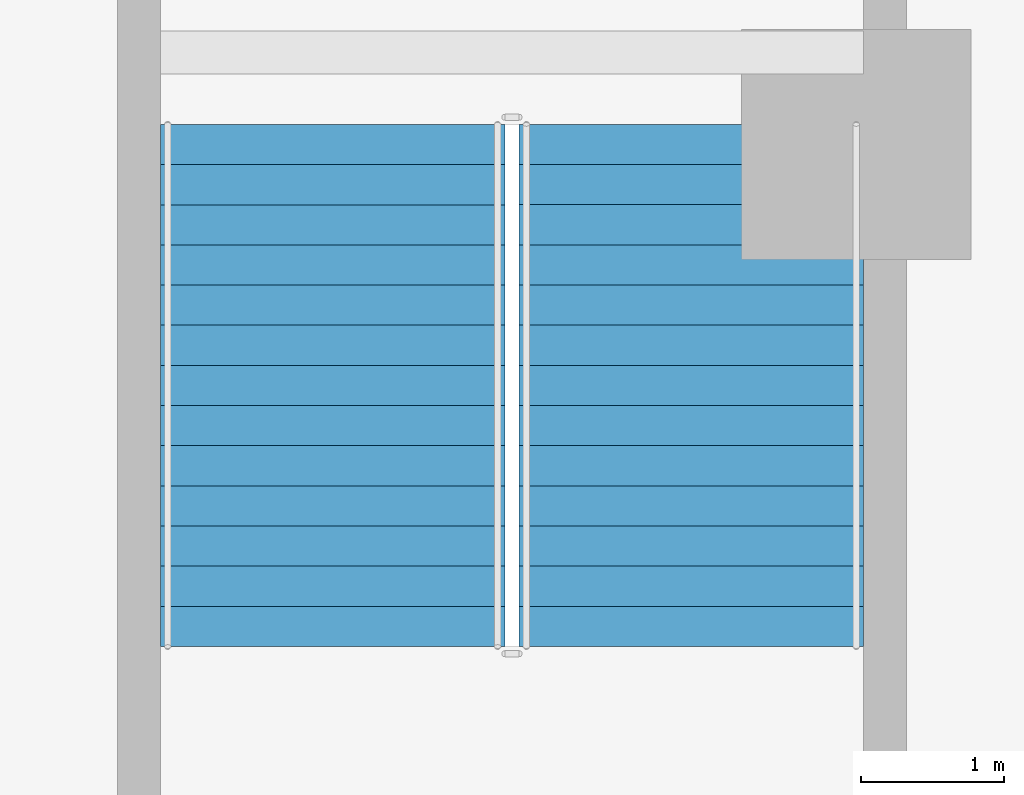
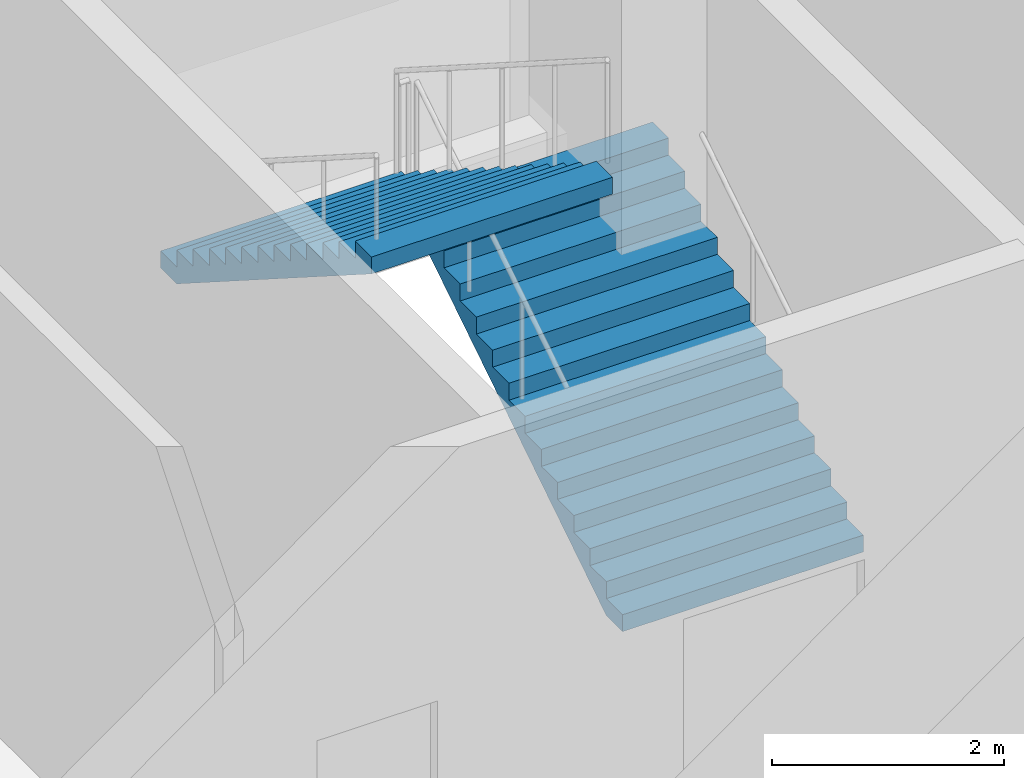
# One storey, part 18 of 35: 2 stair flights, 1 element without a shape of its own.
"""IFC4 building model written with IfcOpenShell, lengths in metres."""

from ifc_helpers import new_model, si_unit, direction, frame, origin, place, context, subcontext, project, spatial, triangles, source, transform, mapped, material, type_object, element, aggregate, save


model = new_model("IFC4")

# Units and contexts
model_context = context("Model", 3, precision=1e-05, world=origin(), true_north=direction((0.0, 1.0)))
body_context = subcontext(model_context, "Body", "Model", "MODEL_VIEW")
ifc_project = project(units=[si_unit("LENGTHUNIT", "METRE"), si_unit("AREAUNIT", "SQUARE_METRE"), si_unit("VOLUMEUNIT", "CUBIC_METRE"), si_unit("PLANEANGLEUNIT", "RADIAN"), si_unit("MASSUNIT", "GRAM", prefix="KILO")], contexts=[model_context])

# Site, building, storey
site_placement = place(None, origin())
site = spatial("IfcSite", under=ifc_project, at=site_placement, CompositionType="ELEMENT")
building_placement = place(site_placement, origin())
building = spatial("IfcBuilding", under=site, at=building_placement, Name="Ogive Portal Towers", CompositionType="ELEMENT")
storey_placement = place(building_placement, frame((0.0, 0.0, 18.5)))
storey = spatial("IfcBuildingStorey", under=building, at=storey_placement, Name="L03", CompositionType="ELEMENT", Elevation=18.5)

# Stair, stair flights
ifc_material = material(Name="Concrete C40/50", Category="concrete")
stair_type = type_object("IfcStairType", Name="INT-STAIR", PredefinedType="HALF_TURN_STAIR", material=ifc_material)
stair_placement = place(storey_placement, origin())
stair = element("IfcStair", 1, at=stair_placement, inside=storey, type_object=stair_type, Name="L03 Exit Stair ST-P2", PredefinedType="HALF_TURN_STAIR")
stair_flight_type = type_object("IfcStairFlightType", Name="INT-FLIGHT", PredefinedType="STRAIGHT", material=ifc_material)
shared_shape = source(origin(), body_context, "Body", "Tessellation", [
    triangles([(0.0, -1.199951171875, 0.0), (0.0, -0.6943359375, 0.0), (0.0, -0.35546875, 0.0), (0.0, -0.14990234375, 0.0), (0.0, -0.04443359375, 0.0), (0.0, -0.005615234375, 0.0), (0.0, 0.0, 0.0), (0.0, 0.005615234375, 0.0), (0.0, 0.04443359375, 0.0), (0.0, 0.14990234375, 0.0), (0.0, 0.35546875, 0.0), (0.0, 0.6943359375, 0.0), (0.0, 1.199951171875, 0.0), (0.0, -1.199951171875, 0.178466796875), (0.0, -0.6943359375, 0.178466796875), (0.0, -0.35546875, 0.178466796875), (0.0, -0.14990234375, 0.178466796875), (0.0, -0.04443359375, 0.178466796875), (0.0, -0.005615234375, 0.178466796875), (0.0, 0.0, 0.178466796875), (0.0, 0.005615234375, 0.178466796875), (0.0, 0.04443359375, 0.178466796875), (0.0, 0.14990234375, 0.178466796875), (0.0, 0.35546875, 0.178466796875), (0.0, 0.6943359375, 0.178466796875), (0.0, 1.199951171875, 0.178466796875), (0.280029296875, -1.199951171875, 0.178466796875), (0.280029296875, -0.6943359375, 0.178466796875), (0.280029296875, -0.35546875, 0.178466796875), (0.280029296875, -0.14990234375, 0.178466796875), (0.280029296875, -0.04443359375, 0.178466796875), (0.280029296875, -0.005615234375, 0.178466796875), (0.280029296875, 0.0, 0.178466796875), (0.280029296875, 0.005615234375, 0.178466796875), (0.280029296875, 0.04443359375, 0.178466796875), (0.280029296875, 0.14990234375, 0.178466796875), (0.280029296875, 0.35546875, 0.178466796875), (0.280029296875, 0.6943359375, 0.178466796875), (0.280029296875, 1.199951171875, 0.178466796875), (0.280029296875, -1.199951171875, 0.357177734375), (0.280029296875, -0.6943359375, 0.357177734375), (0.280029296875, -0.35546875, 0.357177734375), (0.280029296875, -0.14990234375, 0.357177734375), (0.280029296875, -0.04443359375, 0.357177734375), (0.280029296875, -0.005615234375, 0.357177734375), (0.280029296875, 0.0, 0.357177734375), (0.280029296875, 0.005615234375, 0.357177734375), (0.280029296875, 0.04443359375, 0.357177734375), (0.280029296875, 0.14990234375, 0.357177734375), (0.280029296875, 0.35546875, 0.357177734375), (0.280029296875, 0.6943359375, 0.357177734375), (0.280029296875, 1.199951171875, 0.357177734375), (0.56005859375, -1.199951171875, 0.357177734375), (0.56005859375, -0.6943359375, 0.357177734375), (0.56005859375, -0.35546875, 0.357177734375), (0.56005859375, -0.14990234375, 0.357177734375), (0.56005859375, -0.04443359375, 0.357177734375), (0.56005859375, -0.005615234375, 0.357177734375), (0.56005859375, 0.0, 0.357177734375), (0.56005859375, 0.005615234375, 0.357177734375), (0.56005859375, 0.04443359375, 0.357177734375), (0.56005859375, 0.14990234375, 0.357177734375), (0.56005859375, 0.35546875, 0.357177734375), (0.56005859375, 0.6943359375, 0.357177734375), (0.56005859375, 1.199951171875, 0.357177734375), (0.56005859375, -1.199951171875, 0.53564453125), (0.56005859375, -0.6943359375, 0.53564453125), (0.56005859375, -0.35546875, 0.53564453125), (0.56005859375, -0.14990234375, 0.53564453125), (0.56005859375, -0.04443359375, 0.53564453125), (0.56005859375, -0.005615234375, 0.53564453125), (0.56005859375, 0.0, 0.53564453125), (0.56005859375, 0.005615234375, 0.53564453125), (0.56005859375, 0.04443359375, 0.53564453125), (0.56005859375, 0.14990234375, 0.53564453125), (0.56005859375, 0.35546875, 0.53564453125), (0.56005859375, 0.6943359375, 0.53564453125), (0.56005859375, 1.199951171875, 0.53564453125), (0.840087890625, -1.199951171875, 0.53564453125), (0.840087890625, -0.6943359375, 0.53564453125), (0.840087890625, -0.35546875, 0.53564453125), (0.840087890625, -0.14990234375, 0.53564453125), (0.840087890625, -0.04443359375, 0.53564453125), (0.840087890625, -0.005615234375, 0.53564453125), (0.840087890625, 0.0, 0.53564453125), (0.840087890625, 0.005615234375, 0.53564453125), (0.840087890625, 0.04443359375, 0.53564453125), (0.840087890625, 0.14990234375, 0.53564453125), (0.840087890625, 0.35546875, 0.53564453125), (0.840087890625, 0.6943359375, 0.53564453125), (0.840087890625, 1.199951171875, 0.53564453125), (0.840087890625, -1.199951171875, 0.71435546875), (0.840087890625, -0.6943359375, 0.71435546875), (0.840087890625, -0.35546875, 0.71435546875), (0.840087890625, -0.14990234375, 0.71435546875), (0.840087890625, -0.04443359375, 0.71435546875), (0.840087890625, -0.005615234375, 0.71435546875), (0.840087890625, 0.0, 0.71435546875), (0.840087890625, 0.005615234375, 0.71435546875), (0.840087890625, 0.04443359375, 0.71435546875), (0.840087890625, 0.14990234375, 0.71435546875), (0.840087890625, 0.35546875, 0.71435546875), (0.840087890625, 0.6943359375, 0.71435546875), (0.840087890625, 1.199951171875, 0.71435546875), (1.1201171875, -1.199951171875, 0.71435546875), (1.1201171875, -0.6943359375, 0.71435546875), (1.1201171875, -0.35546875, 0.71435546875), (1.1201171875, -0.14990234375, 0.71435546875), (1.1201171875, -0.04443359375, 0.71435546875), (1.1201171875, -0.005615234375, 0.71435546875), (1.1201171875, 0.0, 0.71435546875), (1.1201171875, 0.005615234375, 0.71435546875), (1.1201171875, 0.04443359375, 0.71435546875), (1.1201171875, 0.14990234375, 0.71435546875), (1.1201171875, 0.35546875, 0.71435546875), (1.1201171875, 0.6943359375, 0.71435546875), (1.1201171875, 1.199951171875, 0.71435546875), (1.1201171875, -1.199951171875, 0.892822265625), (1.1201171875, -0.6943359375, 0.892822265625), (1.1201171875, -0.35546875, 0.892822265625), (1.1201171875, -0.14990234375, 0.892822265625), (1.1201171875, -0.04443359375, 0.892822265625), (1.1201171875, -0.005615234375, 0.892822265625), (1.1201171875, 0.0, 0.892822265625), (1.1201171875, 0.005615234375, 0.892822265625), (1.1201171875, 0.04443359375, 0.892822265625), (1.1201171875, 0.14990234375, 0.892822265625), (1.1201171875, 0.35546875, 0.892822265625), (1.1201171875, 0.6943359375, 0.892822265625), (1.1201171875, 1.199951171875, 0.892822265625), (1.39990234375, -1.199951171875, 0.892822265625), (1.39990234375, -0.6943359375, 0.892822265625), (1.39990234375, -0.35546875, 0.892822265625), (1.39990234375, -0.14990234375, 0.892822265625), (1.39990234375, -0.04443359375, 0.892822265625), (1.39990234375, -0.005615234375, 0.892822265625), (1.39990234375, 0.0, 0.892822265625), (1.39990234375, 0.005615234375, 0.892822265625), (1.39990234375, 0.04443359375, 0.892822265625), (1.39990234375, 0.14990234375, 0.892822265625), (1.39990234375, 0.35546875, 0.892822265625), (1.39990234375, 0.6943359375, 0.892822265625), (1.39990234375, 1.199951171875, 0.892822265625), (1.39990234375, -1.199951171875, 1.071533203125), (1.39990234375, -0.6943359375, 1.071533203125), (1.39990234375, -0.35546875, 1.071533203125), (1.39990234375, -0.14990234375, 1.071533203125), (1.39990234375, -0.04443359375, 1.071533203125), (1.39990234375, -0.005615234375, 1.071533203125), (1.39990234375, 0.0, 1.071533203125), (1.39990234375, 0.005615234375, 1.071533203125), (1.39990234375, 0.04443359375, 1.071533203125), (1.39990234375, 0.14990234375, 1.071533203125), (1.39990234375, 0.35546875, 1.071533203125), (1.39990234375, 0.6943359375, 1.071533203125), (1.39990234375, 1.199951171875, 1.071533203125), (1.679931640625, -1.199951171875, 1.071533203125), (1.679931640625, -0.6943359375, 1.071533203125), (1.679931640625, -0.35546875, 1.071533203125), (1.679931640625, -0.14990234375, 1.071533203125), (1.679931640625, -0.04443359375, 1.071533203125), (1.679931640625, -0.005615234375, 1.071533203125), (1.679931640625, 0.0, 1.071533203125), (1.679931640625, 0.005615234375, 1.071533203125), (1.679931640625, 0.04443359375, 1.071533203125), (1.679931640625, 0.14990234375, 1.071533203125), (1.679931640625, 0.35546875, 1.071533203125), (1.679931640625, 0.6943359375, 1.071533203125), (1.679931640625, 1.199951171875, 1.071533203125), (1.679931640625, -1.199951171875, 1.25), (1.679931640625, -0.6943359375, 1.25), (1.679931640625, -0.35546875, 1.25), (1.679931640625, -0.14990234375, 1.25), (1.679931640625, -0.04443359375, 1.25), (1.679931640625, -0.005615234375, 1.25), (1.679931640625, 0.0, 1.25), (1.679931640625, 0.005615234375, 1.25), (1.679931640625, 0.04443359375, 1.25), (1.679931640625, 0.14990234375, 1.25), (1.679931640625, 0.35546875, 1.25), (1.679931640625, 0.6943359375, 1.25), (1.679931640625, 1.199951171875, 1.25), (1.9599609375, -1.199951171875, 1.25), (1.9599609375, -0.6943359375, 1.25), (1.9599609375, -0.35546875, 1.25), (1.9599609375, -0.14990234375, 1.25), (1.9599609375, -0.04443359375, 1.25), (1.9599609375, -0.005615234375, 1.25), (1.9599609375, 0.0, 1.25), (1.9599609375, 0.005615234375, 1.25), (1.9599609375, 0.04443359375, 1.25), (1.9599609375, 0.14990234375, 1.25), (1.9599609375, 0.35546875, 1.25), (1.9599609375, 0.6943359375, 1.25), (1.9599609375, 1.199951171875, 1.25), (1.9599609375, -1.199951171875, 1.428466796875), (1.9599609375, -0.6943359375, 1.428466796875), (1.9599609375, -0.35546875, 1.428466796875), (1.9599609375, -0.14990234375, 1.428466796875), (1.9599609375, -0.04443359375, 1.428466796875), (1.9599609375, -0.005615234375, 1.428466796875), (1.9599609375, 0.0, 1.428466796875), (1.9599609375, 0.005615234375, 1.428466796875), (1.9599609375, 0.04443359375, 1.428466796875), (1.9599609375, 0.14990234375, 1.428466796875), (1.9599609375, 0.35546875, 1.428466796875), (1.9599609375, 0.6943359375, 1.428466796875), (1.9599609375, 1.199951171875, 1.428466796875), (2.239990234375, -1.199951171875, 1.428466796875), (2.239990234375, -0.6943359375, 1.428466796875), (2.239990234375, -0.35546875, 1.428466796875), (2.239990234375, -0.14990234375, 1.428466796875), (2.239990234375, -0.04443359375, 1.428466796875), (2.239990234375, -0.005615234375, 1.428466796875), (2.239990234375, 0.0, 1.428466796875), (2.239990234375, 0.005615234375, 1.428466796875), (2.239990234375, 0.04443359375, 1.428466796875), (2.239990234375, 0.14990234375, 1.428466796875), (2.239990234375, 0.35546875, 1.428466796875), (2.239990234375, 0.6943359375, 1.428466796875), (2.239990234375, 1.199951171875, 1.428466796875), (2.239990234375, -1.199951171875, 1.607177734375), (2.239990234375, -0.6943359375, 1.607177734375), (2.239990234375, -0.35546875, 1.607177734375), (2.239990234375, -0.14990234375, 1.607177734375), (2.239990234375, -0.04443359375, 1.607177734375), (2.239990234375, -0.005615234375, 1.607177734375), (2.239990234375, 0.0, 1.607177734375), (2.239990234375, 0.005615234375, 1.607177734375), (2.239990234375, 0.04443359375, 1.607177734375), (2.239990234375, 0.14990234375, 1.607177734375), (2.239990234375, 0.35546875, 1.607177734375), (2.239990234375, 0.6943359375, 1.607177734375), (2.239990234375, 1.199951171875, 1.607177734375), (2.52001953125, -1.199951171875, 1.607177734375), (2.52001953125, -0.6943359375, 1.607177734375), (2.52001953125, -0.35546875, 1.607177734375), (2.52001953125, -0.14990234375, 1.607177734375), (2.52001953125, -0.04443359375, 1.607177734375), (2.52001953125, -0.005615234375, 1.607177734375), (2.52001953125, 0.0, 1.607177734375), (2.52001953125, 0.005615234375, 1.607177734375), (2.52001953125, 0.04443359375, 1.607177734375), (2.52001953125, 0.14990234375, 1.607177734375), (2.52001953125, 0.35546875, 1.607177734375), (2.52001953125, 0.6943359375, 1.607177734375), (2.52001953125, 1.199951171875, 1.607177734375), (2.52001953125, -1.199951171875, 1.78564453125), (2.52001953125, -0.6943359375, 1.78564453125), (2.52001953125, -0.35546875, 1.78564453125), (2.52001953125, -0.14990234375, 1.78564453125), (2.52001953125, -0.04443359375, 1.78564453125), (2.52001953125, -0.005615234375, 1.78564453125), (2.52001953125, 0.0, 1.78564453125), (2.52001953125, 0.005615234375, 1.78564453125), (2.52001953125, 0.04443359375, 1.78564453125), (2.52001953125, 0.14990234375, 1.78564453125), (2.52001953125, 0.35546875, 1.78564453125), (2.52001953125, 0.6943359375, 1.78564453125), (2.52001953125, 1.199951171875, 1.78564453125), (2.800048828125, -1.199951171875, 1.78564453125), (2.800048828125, -0.6943359375, 1.78564453125), (2.800048828125, -0.35546875, 1.78564453125), (2.800048828125, -0.14990234375, 1.78564453125), (2.800048828125, -0.04443359375, 1.78564453125), (2.800048828125, -0.005615234375, 1.78564453125), (2.800048828125, 0.0, 1.78564453125), (2.800048828125, 0.005615234375, 1.78564453125), (2.800048828125, 0.04443359375, 1.78564453125), (2.800048828125, 0.14990234375, 1.78564453125), (2.800048828125, 0.35546875, 1.78564453125), (2.800048828125, 0.6943359375, 1.78564453125), (2.800048828125, 1.199951171875, 1.78564453125), (2.800048828125, -1.199951171875, 1.96435546875), (2.800048828125, -0.6943359375, 1.96435546875), (2.800048828125, -0.35546875, 1.96435546875), (2.800048828125, -0.14990234375, 1.96435546875), (2.800048828125, -0.04443359375, 1.96435546875), (2.800048828125, -0.005615234375, 1.96435546875), (2.800048828125, 0.0, 1.96435546875), (2.800048828125, 0.005615234375, 1.96435546875), (2.800048828125, 0.04443359375, 1.96435546875), (2.800048828125, 0.14990234375, 1.96435546875), (2.800048828125, 0.35546875, 1.96435546875), (2.800048828125, 0.6943359375, 1.96435546875), (2.800048828125, 1.199951171875, 1.96435546875), (3.080078125, -1.199951171875, 1.96435546875), (3.080078125, -0.6943359375, 1.96435546875), (3.080078125, -0.35546875, 1.96435546875), (3.080078125, -0.14990234375, 1.96435546875), (3.080078125, -0.04443359375, 1.96435546875), (3.080078125, -0.005615234375, 1.96435546875), (3.080078125, 0.0, 1.96435546875), (3.080078125, 0.005615234375, 1.96435546875), (3.080078125, 0.04443359375, 1.96435546875), (3.080078125, 0.14990234375, 1.96435546875), (3.080078125, 0.35546875, 1.96435546875), (3.080078125, 0.6943359375, 1.96435546875), (3.080078125, 1.199951171875, 1.96435546875), (3.080078125, -1.199951171875, 2.142822265625), (3.080078125, -0.6943359375, 2.142822265625), (3.080078125, -0.35546875, 2.142822265625), (3.080078125, -0.14990234375, 2.142822265625), (3.080078125, -0.04443359375, 2.142822265625), (3.080078125, -0.005615234375, 2.142822265625), (3.080078125, 0.0, 2.142822265625), (3.080078125, 0.005615234375, 2.142822265625), (3.080078125, 0.04443359375, 2.142822265625), (3.080078125, 0.14990234375, 2.142822265625), (3.080078125, 0.35546875, 2.142822265625), (3.080078125, 0.6943359375, 2.142822265625), (3.080078125, 1.199951171875, 2.142822265625), (3.360107421875, -1.199951171875, 2.142822265625), (3.360107421875, -0.6943359375, 2.142822265625), (3.360107421875, -0.35546875, 2.142822265625), (3.360107421875, -0.14990234375, 2.142822265625), (3.360107421875, -0.04443359375, 2.142822265625), (3.360107421875, -0.005615234375, 2.142822265625), (3.360107421875, 0.0, 2.142822265625), (3.360107421875, 0.005615234375, 2.142822265625), (3.360107421875, 0.04443359375, 2.142822265625), (3.360107421875, 0.14990234375, 2.142822265625), (3.360107421875, 0.35546875, 2.142822265625), (3.360107421875, 0.6943359375, 2.142822265625), (3.360107421875, 1.199951171875, 2.142822265625), (3.360107421875, -1.199951171875, 2.321533203125), (3.360107421875, -0.6943359375, 2.321533203125), (3.360107421875, -0.35546875, 2.321533203125), (3.360107421875, -0.14990234375, 2.321533203125), (3.360107421875, -0.04443359375, 2.321533203125), (3.360107421875, -0.005615234375, 2.321533203125), (3.360107421875, 0.0, 2.321533203125), (3.360107421875, 0.005615234375, 2.321533203125), (3.360107421875, 0.04443359375, 2.321533203125), (3.360107421875, 0.14990234375, 2.321533203125), (3.360107421875, 0.35546875, 2.321533203125), (3.360107421875, 0.6943359375, 2.321533203125), (3.360107421875, 1.199951171875, 2.321533203125), (3.639892578125, -1.199951171875, 2.321533203125), (3.639892578125, -0.6943359375, 2.321533203125), (3.639892578125, -0.35546875, 2.321533203125), (3.639892578125, -0.14990234375, 2.321533203125), (3.639892578125, -0.04443359375, 2.321533203125), (3.639892578125, -0.005615234375, 2.321533203125), (3.639892578125, 0.0, 2.321533203125), (3.639892578125, 0.005615234375, 2.321533203125), (3.639892578125, 0.04443359375, 2.321533203125), (3.639892578125, 0.14990234375, 2.321533203125), (3.639892578125, 0.35546875, 2.321533203125), (3.639892578125, 0.6943359375, 2.321533203125), (3.639892578125, 1.199951171875, 2.321533203125), (3.639892578125, -1.199951171875, 2.1435546875), (3.639892578125, -0.6943359375, 2.1435546875), (3.639892578125, -0.35546875, 2.1435546875), (3.639892578125, -0.14990234375, 2.1435546875), (3.639892578125, -0.04443359375, 2.1435546875), (3.639892578125, -0.005615234375, 2.1435546875), (3.639892578125, 0.0, 2.1435546875), (3.639892578125, 0.005615234375, 2.1435546875), (3.639892578125, 0.04443359375, 2.1435546875), (3.639892578125, 0.14990234375, 2.1435546875), (3.639892578125, 0.35546875, 2.1435546875), (3.639892578125, 0.6943359375, 2.1435546875), (3.639892578125, 1.199951171875, 2.1435546875), (0.27880859375, -1.199951171875, 0.0), (0.27880859375, -0.6943359375, 0.0), (0.27880859375, -0.35546875, 0.0), (0.27880859375, -0.14990234375, 0.0), (0.27880859375, -0.04443359375, 0.0), (0.27880859375, -0.005615234375, 0.0), (0.27880859375, 0.0, 0.0), (0.27880859375, 0.005615234375, 0.0), (0.27880859375, 0.04443359375, 0.0), (0.27880859375, 0.14990234375, 0.0), (0.27880859375, 0.35546875, 0.0), (0.27880859375, 0.6943359375, 0.0), (0.27880859375, 1.199951171875, 0.0)], [[1, 14, 15], [1, 15, 2], [2, 15, 16], [2, 16, 3], [3, 16, 17], [3, 17, 4], [4, 17, 18], [4, 18, 5], [5, 18, 19], [5, 19, 6], [6, 19, 20], [6, 20, 7], [7, 20, 21], [7, 21, 8], [8, 21, 22], [8, 22, 9], [9, 22, 23], [9, 23, 10], [10, 23, 24], [10, 24, 11], [11, 24, 25], [11, 25, 12], [12, 25, 26], [12, 26, 13], [14, 27, 28], [14, 28, 15], [15, 28, 29], [15, 29, 16], [16, 29, 30], [16, 30, 17], [17, 30, 31], [17, 31, 18], [18, 31, 32], [18, 32, 19], [19, 32, 33], [19, 33, 20], [20, 33, 34], [20, 34, 21], [21, 34, 35], [21, 35, 22], [22, 35, 36], [22, 36, 23], [23, 36, 37], [23, 37, 24], [24, 37, 38], [24, 38, 25], [25, 38, 39], [25, 39, 26], [27, 40, 41], [27, 41, 28], [28, 41, 42], [28, 42, 29], [29, 42, 43], [29, 43, 30], [30, 43, 44], [30, 44, 31], [31, 44, 45], [31, 45, 32], [32, 45, 46], [32, 46, 33], [33, 46, 47], [33, 47, 34], [34, 47, 48], [34, 48, 35], [35, 48, 49], [35, 49, 36], [36, 49, 50], [36, 50, 37], [37, 50, 51], [37, 51, 38], [38, 51, 52], [38, 52, 39], [40, 53, 54], [40, 54, 41], [41, 54, 55], [41, 55, 42], [42, 55, 56], [42, 56, 43], [43, 56, 57], [43, 57, 44], [44, 57, 58], [44, 58, 45], [45, 58, 59], [45, 59, 46], [46, 59, 60], [46, 60, 47], [47, 60, 61], [47, 61, 48], [48, 61, 62], [48, 62, 49], [49, 62, 63], [49, 63, 50], [50, 63, 64], [50, 64, 51], [51, 64, 65], [51, 65, 52], [53, 66, 67], [53, 67, 54], [54, 67, 68], [54, 68, 55], [55, 68, 69], [55, 69, 56], [56, 69, 70], [56, 70, 57], [57, 70, 71], [57, 71, 58], [58, 71, 72], [58, 72, 59], [59, 72, 73], [59, 73, 60], [60, 73, 74], [60, 74, 61], [61, 74, 75], [61, 75, 62], [62, 75, 76], [62, 76, 63], [63, 76, 77], [63, 77, 64], [64, 77, 78], [64, 78, 65], [66, 79, 80], [66, 80, 67], [67, 80, 81], [67, 81, 68], [68, 81, 82], [68, 82, 69], [69, 82, 83], [69, 83, 70], [70, 83, 84], [70, 84, 71], [71, 84, 85], [71, 85, 72], [72, 85, 86], [72, 86, 73], [73, 86, 87], [73, 87, 74], [74, 87, 88], [74, 88, 75], [75, 88, 89], [75, 89, 76], [76, 89, 90], [76, 90, 77], [77, 90, 91], [77, 91, 78], [79, 92, 93], [79, 93, 80], [80, 93, 94], [80, 94, 81], [81, 94, 95], [81, 95, 82], [82, 95, 96], [82, 96, 83], [83, 96, 97], [83, 97, 84], [84, 97, 98], [84, 98, 85], [85, 98, 99], [85, 99, 86], [86, 99, 100], [86, 100, 87], [87, 100, 101], [87, 101, 88], [88, 101, 102], [88, 102, 89], [89, 102, 103], [89, 103, 90], [90, 103, 104], [90, 104, 91], [92, 105, 106], [92, 106, 93], [93, 106, 107], [93, 107, 94], [94, 107, 108], [94, 108, 95], [95, 108, 109], [95, 109, 96], [96, 109, 110], [96, 110, 97], [97, 110, 111], [97, 111, 98], [98, 111, 112], [98, 112, 99], [99, 112, 113], [99, 113, 100], [100, 113, 114], [100, 114, 101], [101, 114, 115], [101, 115, 102], [102, 115, 116], [102, 116, 103], [103, 116, 117], [103, 117, 104], [105, 118, 119], [105, 119, 106], [106, 119, 120], [106, 120, 107], [107, 120, 121], [107, 121, 108], [108, 121, 122], [108, 122, 109], [109, 122, 123], [109, 123, 110], [110, 123, 124], [110, 124, 111], [111, 124, 125], [111, 125, 112], [112, 125, 126], [112, 126, 113], [113, 126, 127], [113, 127, 114], [114, 127, 128], [114, 128, 115], [115, 128, 129], [115, 129, 116], [116, 129, 130], [116, 130, 117], [118, 131, 132], [118, 132, 119], [119, 132, 133], [119, 133, 120], [120, 133, 134], [120, 134, 121], [121, 134, 135], [121, 135, 122], [122, 135, 136], [122, 136, 123], [123, 136, 137], [123, 137, 124], [124, 137, 138], [124, 138, 125], [125, 138, 139], [125, 139, 126], [126, 139, 140], [126, 140, 127], [127, 140, 141], [127, 141, 128], [128, 141, 142], [128, 142, 129], [129, 142, 143], [129, 143, 130], [131, 144, 145], [131, 145, 132], [132, 145, 146], [132, 146, 133], [133, 146, 147], [133, 147, 134], [134, 147, 148], [134, 148, 135], [135, 148, 149], [135, 149, 136], [136, 149, 150], [136, 150, 137], [137, 150, 151], [137, 151, 138], [138, 151, 152], [138, 152, 139], [139, 152, 153], [139, 153, 140], [140, 153, 154], [140, 154, 141], [141, 154, 155], [141, 155, 142], [142, 155, 156], [142, 156, 143], [144, 157, 158], [144, 158, 145], [145, 158, 159], [145, 159, 146], [146, 159, 160], [146, 160, 147], [147, 160, 161], [147, 161, 148], [148, 161, 162], [148, 162, 149], [149, 162, 163], [149, 163, 150], [150, 163, 164], [150, 164, 151], [151, 164, 165], [151, 165, 152], [152, 165, 166], [152, 166, 153], [153, 166, 167], [153, 167, 154], [154, 167, 168], [154, 168, 155], [155, 168, 169], [155, 169, 156], [157, 170, 171], [157, 171, 158], [158, 171, 172], [158, 172, 159], [159, 172, 173], [159, 173, 160], [160, 173, 174], [160, 174, 161], [161, 174, 175], [161, 175, 162], [162, 175, 176], [162, 176, 163], [163, 176, 177], [163, 177, 164], [164, 177, 178], [164, 178, 165], [165, 178, 179], [165, 179, 166], [166, 179, 180], [166, 180, 167], [167, 180, 181], [167, 181, 168], [168, 181, 182], [168, 182, 169], [170, 183, 184], [170, 184, 171], [171, 184, 185], [171, 185, 172], [172, 185, 186], [172, 186, 173], [173, 186, 187], [173, 187, 174], [174, 187, 188], [174, 188, 175], [175, 188, 189], [175, 189, 176], [176, 189, 190], [176, 190, 177], [177, 190, 191], [177, 191, 178], [178, 191, 192], [178, 192, 179], [179, 192, 193], [179, 193, 180], [180, 193, 194], [180, 194, 181], [181, 194, 195], [181, 195, 182], [183, 196, 197], [183, 197, 184], [184, 197, 198], [184, 198, 185], [185, 198, 199], [185, 199, 186], [186, 199, 200], [186, 200, 187], [187, 200, 201], [187, 201, 188], [188, 201, 202], [188, 202, 189], [189, 202, 203], [189, 203, 190], [190, 203, 204], [190, 204, 191], [191, 204, 205], [191, 205, 192], [192, 205, 206], [192, 206, 193], [193, 206, 207], [193, 207, 194], [194, 207, 208], [194, 208, 195], [196, 209, 210], [196, 210, 197], [197, 210, 211], [197, 211, 198], [198, 211, 212], [198, 212, 199], [199, 212, 213], [199, 213, 200], [200, 213, 214], [200, 214, 201], [201, 214, 215], [201, 215, 202], [202, 215, 216], [202, 216, 203], [203, 216, 217], [203, 217, 204], [204, 217, 218], [204, 218, 205], [205, 218, 219], [205, 219, 206], [206, 219, 220], [206, 220, 207], [207, 220, 221], [207, 221, 208], [209, 222, 223], [209, 223, 210], [210, 223, 224], [210, 224, 211], [211, 224, 225], [211, 225, 212], [212, 225, 226], [212, 226, 213], [213, 226, 227], [213, 227, 214], [214, 227, 228], [214, 228, 215], [215, 228, 229], [215, 229, 216], [216, 229, 230], [216, 230, 217], [217, 230, 231], [217, 231, 218], [218, 231, 232], [218, 232, 219], [219, 232, 233], [219, 233, 220], [220, 233, 234], [220, 234, 221], [222, 235, 236], [222, 236, 223], [223, 236, 237], [223, 237, 224], [224, 237, 238], [224, 238, 225], [225, 238, 239], [225, 239, 226], [226, 239, 240], [226, 240, 227], [227, 240, 241], [227, 241, 228], [228, 241, 242], [228, 242, 229], [229, 242, 243], [229, 243, 230], [230, 243, 244], [230, 244, 231], [231, 244, 245], [231, 245, 232], [232, 245, 246], [232, 246, 233], [233, 246, 247], [233, 247, 234], [235, 248, 249], [235, 249, 236], [236, 249, 250], [236, 250, 237], [237, 250, 251], [237, 251, 238], [238, 251, 252], [238, 252, 239], [239, 252, 253], [239, 253, 240], [240, 253, 254], [240, 254, 241], [241, 254, 255], [241, 255, 242], [242, 255, 256], [242, 256, 243], [243, 256, 257], [243, 257, 244], [244, 257, 258], [244, 258, 245], [245, 258, 259], [245, 259, 246], [246, 259, 260], [246, 260, 247], [248, 261, 262], [248, 262, 249], [249, 262, 263], [249, 263, 250], [250, 263, 264], [250, 264, 251], [251, 264, 265], [251, 265, 252], [252, 265, 266], [252, 266, 253], [253, 266, 267], [253, 267, 254], [254, 267, 268], [254, 268, 255], [255, 268, 269], [255, 269, 256], [256, 269, 270], [256, 270, 257], [257, 270, 271], [257, 271, 258], [258, 271, 272], [258, 272, 259], [259, 272, 273], [259, 273, 260], [261, 274, 275], [261, 275, 262], [262, 275, 276], [262, 276, 263], [263, 276, 277], [263, 277, 264], [264, 277, 278], [264, 278, 265], [265, 278, 279], [265, 279, 266], [266, 279, 280], [266, 280, 267], [267, 280, 281], [267, 281, 268], [268, 281, 282], [268, 282, 269], [269, 282, 283], [269, 283, 270], [270, 283, 284], [270, 284, 271], [271, 284, 285], [271, 285, 272], [272, 285, 286], [272, 286, 273], [274, 287, 288], [274, 288, 275], [275, 288, 289], [275, 289, 276], [276, 289, 290], [276, 290, 277], [277, 290, 291], [277, 291, 278], [278, 291, 292], [278, 292, 279], [279, 292, 293], [279, 293, 280], [280, 293, 294], [280, 294, 281], [281, 294, 295], [281, 295, 282], [282, 295, 296], [282, 296, 283], [283, 296, 297], [283, 297, 284], [284, 297, 298], [284, 298, 285], [285, 298, 299], [285, 299, 286], [287, 300, 301], [287, 301, 288], [288, 301, 302], [288, 302, 289], [289, 302, 303], [289, 303, 290], [290, 303, 304], [290, 304, 291], [291, 304, 305], [291, 305, 292], [292, 305, 306], [292, 306, 293], [293, 306, 307], [293, 307, 294], [294, 307, 308], [294, 308, 295], [295, 308, 309], [295, 309, 296], [296, 309, 310], [296, 310, 297], [297, 310, 311], [297, 311, 298], [298, 311, 312], [298, 312, 299], [300, 313, 314], [300, 314, 301], [301, 314, 315], [301, 315, 302], [302, 315, 316], [302, 316, 303], [303, 316, 317], [303, 317, 304], [304, 317, 318], [304, 318, 305], [305, 318, 319], [305, 319, 306], [306, 319, 320], [306, 320, 307], [307, 320, 321], [307, 321, 308], [308, 321, 322], [308, 322, 309], [309, 322, 323], [309, 323, 310], [310, 323, 324], [310, 324, 311], [311, 324, 325], [311, 325, 312], [313, 326, 327], [313, 327, 314], [314, 327, 328], [314, 328, 315], [315, 328, 329], [315, 329, 316], [316, 329, 330], [316, 330, 317], [317, 330, 331], [317, 331, 318], [318, 331, 332], [318, 332, 319], [319, 332, 333], [319, 333, 320], [320, 333, 334], [320, 334, 321], [321, 334, 335], [321, 335, 322], [322, 335, 336], [322, 336, 323], [323, 336, 337], [323, 337, 324], [324, 337, 338], [324, 338, 325], [326, 339, 340], [326, 340, 327], [327, 340, 341], [327, 341, 328], [328, 341, 342], [328, 342, 329], [329, 342, 343], [329, 343, 330], [330, 343, 344], [330, 344, 331], [331, 344, 345], [331, 345, 332], [332, 345, 346], [332, 346, 333], [333, 346, 347], [333, 347, 334], [334, 347, 348], [334, 348, 335], [335, 348, 349], [335, 349, 336], [336, 349, 350], [336, 350, 337], [337, 350, 351], [337, 351, 338], [339, 352, 353], [339, 353, 340], [340, 353, 354], [340, 354, 341], [341, 354, 355], [341, 355, 342], [342, 355, 356], [342, 356, 343], [343, 356, 357], [343, 357, 344], [344, 357, 358], [344, 358, 345], [345, 358, 359], [345, 359, 346], [346, 359, 360], [346, 360, 347], [347, 360, 361], [347, 361, 348], [348, 361, 362], [348, 362, 349], [349, 362, 363], [349, 363, 350], [350, 363, 364], [350, 364, 351], [352, 365, 366], [352, 366, 353], [353, 366, 367], [353, 367, 354], [354, 367, 368], [354, 368, 355], [355, 368, 369], [355, 369, 356], [356, 369, 370], [356, 370, 357], [357, 370, 371], [357, 371, 358], [358, 371, 372], [358, 372, 359], [359, 372, 373], [359, 373, 360], [360, 373, 374], [360, 374, 361], [361, 374, 375], [361, 375, 362], [362, 375, 376], [362, 376, 363], [363, 376, 377], [363, 377, 364], [365, 1, 2], [365, 2, 366], [366, 2, 3], [366, 3, 367], [367, 3, 4], [367, 4, 368], [368, 4, 5], [368, 5, 369], [369, 5, 6], [369, 6, 370], [370, 6, 7], [370, 7, 371], [371, 7, 8], [371, 8, 372], [372, 8, 9], [372, 9, 373], [373, 9, 10], [373, 10, 374], [374, 10, 11], [374, 11, 375], [375, 11, 12], [375, 12, 376], [376, 12, 13], [376, 13, 377], [1, 365, 352], [13, 364, 377], [352, 339, 326], [364, 338, 351], [352, 326, 313], [364, 325, 338], [313, 300, 287], [325, 299, 312], [352, 313, 287], [364, 299, 325], [287, 274, 261], [299, 273, 286], [352, 287, 261], [364, 273, 299], [261, 248, 235], [273, 247, 260], [352, 261, 235], [364, 247, 273], [235, 222, 209], [247, 221, 234], [352, 235, 209], [364, 221, 247], [209, 196, 183], [221, 195, 208], [352, 209, 183], [364, 195, 221], [183, 170, 157], [195, 169, 182], [352, 183, 157], [364, 169, 195], [157, 144, 131], [169, 143, 156], [352, 157, 131], [364, 143, 169], [131, 118, 105], [143, 117, 130], [352, 131, 105], [364, 117, 143], [105, 92, 79], [117, 91, 104], [352, 105, 79], [364, 91, 117], [79, 66, 53], [91, 65, 78], [352, 79, 53], [364, 65, 91], [53, 40, 27], [65, 39, 52], [352, 53, 27], [364, 39, 65], [1, 352, 27], [13, 39, 364], [27, 14, 1], [39, 13, 26]], closed=True),
])
stair_flight_1_placement = place(storey_placement, frame((39.35009765625, 45.0, 0.0), z_axis=(0.0, 0.0, 1.0), x_axis=(0.0, 1.0, 0.0)))
stair_flight_1 = element("IfcStairFlight", 2, at=stair_flight_1_placement, type_object=stair_flight_type, Name="ST-P2 flight 1", NumberOfRisers=14, NumberOfTreads=13, PredefinedType="STRAIGHT", RiserHeight=0.178571429, TreadLength=0.28, context=body_context, shape_type="MappedRepresentation", body=[
    mapped(shared_shape, transform((0.0, 0.0, 0.0), scale=1.0)),
])
stair_flight_2_placement = place(storey_placement, frame((36.85009765625, 48.639892578125, 2.5), z_axis=(0.0, 0.0, 1.0), x_axis=(0.0, -1.0, 0.0)))
stair_flight_2 = element("IfcStairFlight", 3, at=stair_flight_2_placement, type_object=stair_flight_type, Name="ST-P2 flight 2", NumberOfRisers=14, NumberOfTreads=13, PredefinedType="STRAIGHT", RiserHeight=0.178571429, TreadLength=0.28, context=body_context, shape_type="MappedRepresentation", body=[
    mapped(shared_shape, transform((0.0, 0.0, 0.0), scale=1.0)),
])
aggregate(stair, [stair_flight_1, stair_flight_2])

save(model, "model.ifc")
